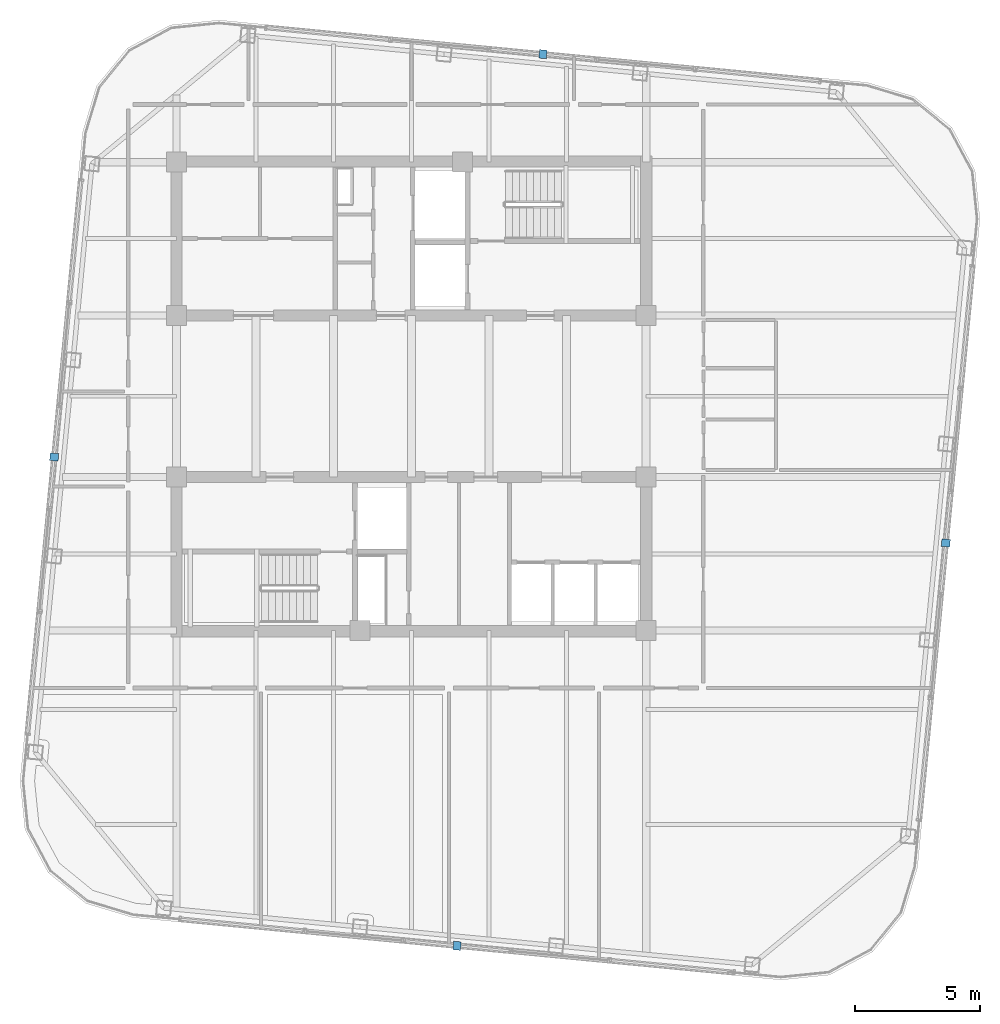
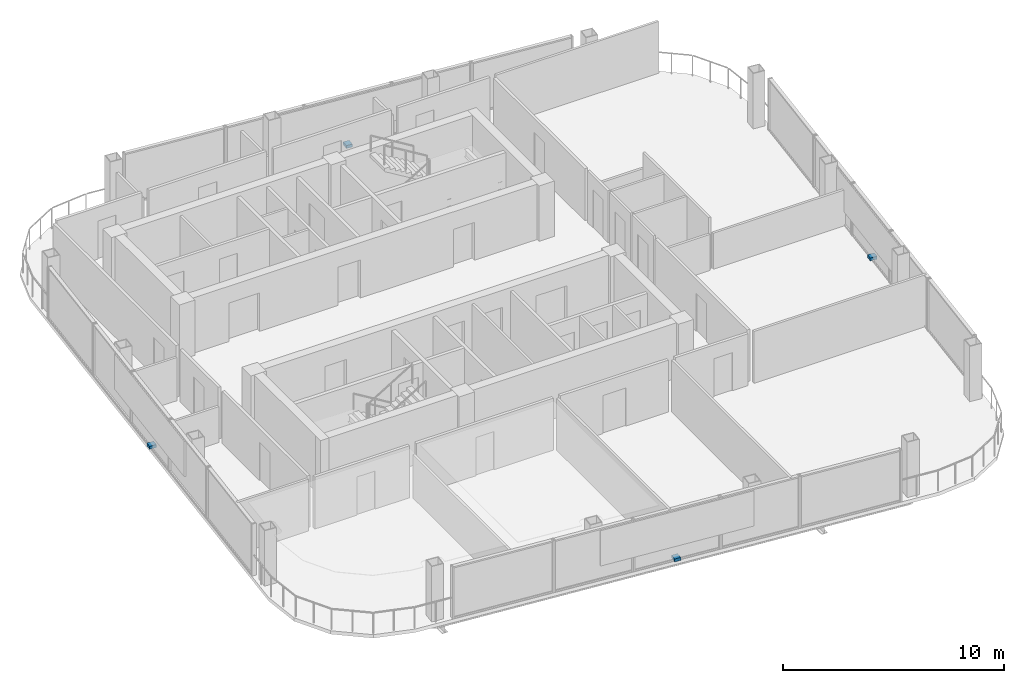
# One storey, part 19 of 23: 4 discrete accessories.
"""IFC4 building model written with IfcOpenShell, lengths in metres."""

from ifc_helpers import new_model, si_unit, direction, frame, origin, origin_2d, place, context, subcontext, project, spatial, rectangle, extrude, material, type_object, element, save


model = new_model("IFC4")

# Units and contexts
model_context = context("Model", 3, precision=1e-05, world=origin(), true_north=direction((0.0, 1.0)))
body_context = subcontext(model_context, "Body", "Model", "MODEL_VIEW")
ifc_project = project(units=[si_unit("LENGTHUNIT", "METRE"), si_unit("AREAUNIT", "SQUARE_METRE"), si_unit("VOLUMEUNIT", "CUBIC_METRE"), si_unit("PLANEANGLEUNIT", "RADIAN"), si_unit("MASSUNIT", "GRAM", prefix="KILO")], contexts=[model_context])

# Site, building, storey
site_placement = place(None, origin())
site = spatial("IfcSite", under=ifc_project, at=site_placement, CompositionType="ELEMENT")
building_placement = place(site_placement, origin())
building = spatial("IfcBuilding", under=site, at=building_placement, Name="Qhalaya Broadcast Tower", CompositionType="ELEMENT")
storey_placement = place(building_placement, frame((0.0, 0.0, 264.199951171875)))
storey = spatial("IfcBuildingStorey", under=building, at=storey_placement, Name="L78", CompositionType="ELEMENT", Elevation=264.199951171875)

# Discrete accessories
ifc_material = material(Name="Structural Steel ASTM A572 Grade 50", Category="steel")
discrete_accessory_type = type_object("IfcDiscreteAccessoryType", Name="Facade Baguette Support Bracket BRK-01", PredefinedType="BRACKET", material=ifc_material)
for number, where, z_axis, x_axis, name in (
    (1, (1.826171875, -21.337646484375, 0.0), (0.0, 0.0, 1.0), (0.995396198367, -0.09584575252, 0.0), "L78 Baguette Support Bracket S"),
    (2, (21.337646484375, -5.25390625, 0.0), (0.0, 0.0, 1.0), (0.09584575252, 0.995396198367, 0.0), "L78 Baguette Support Bracket E"),
    (3, (5.25390625, 14.2578125, 0.0), (0.0, 0.0, 1.0), (-0.995396198367, 0.09584575252, 0.0), "L78 Baguette Support Bracket N"),
    (4, (-14.2578125, -1.826171875, 0.0), (0.0, 0.0, 1.0), (-0.09584575252, -0.995396198367, 0.0), "L78 Baguette Support Bracket W"),
):
    element("IfcDiscreteAccessory", number, at=place(storey_placement, frame(where, z_axis=z_axis, x_axis=x_axis)), inside=storey, type_object=discrete_accessory_type, Name=name, PredefinedType="BRACKET", context=body_context, shape_type="SweptSolid", body=[
        extrude(rectangle(XDim=0.300048828125, YDim=0.340087890625, at=origin_2d()), origin(), (0.0, 0.0, 1.0), 0.159912109375),
    ])

save(model, "model.ifc")
